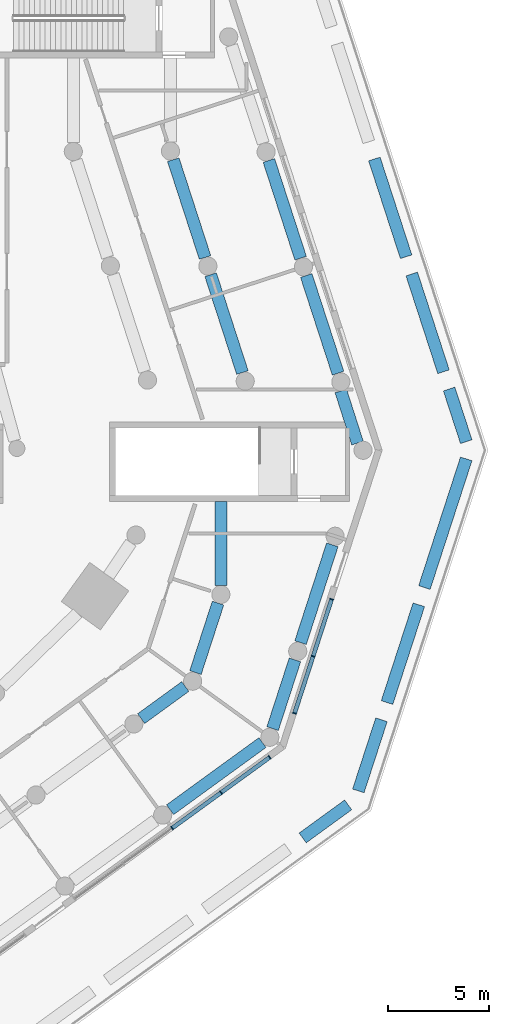
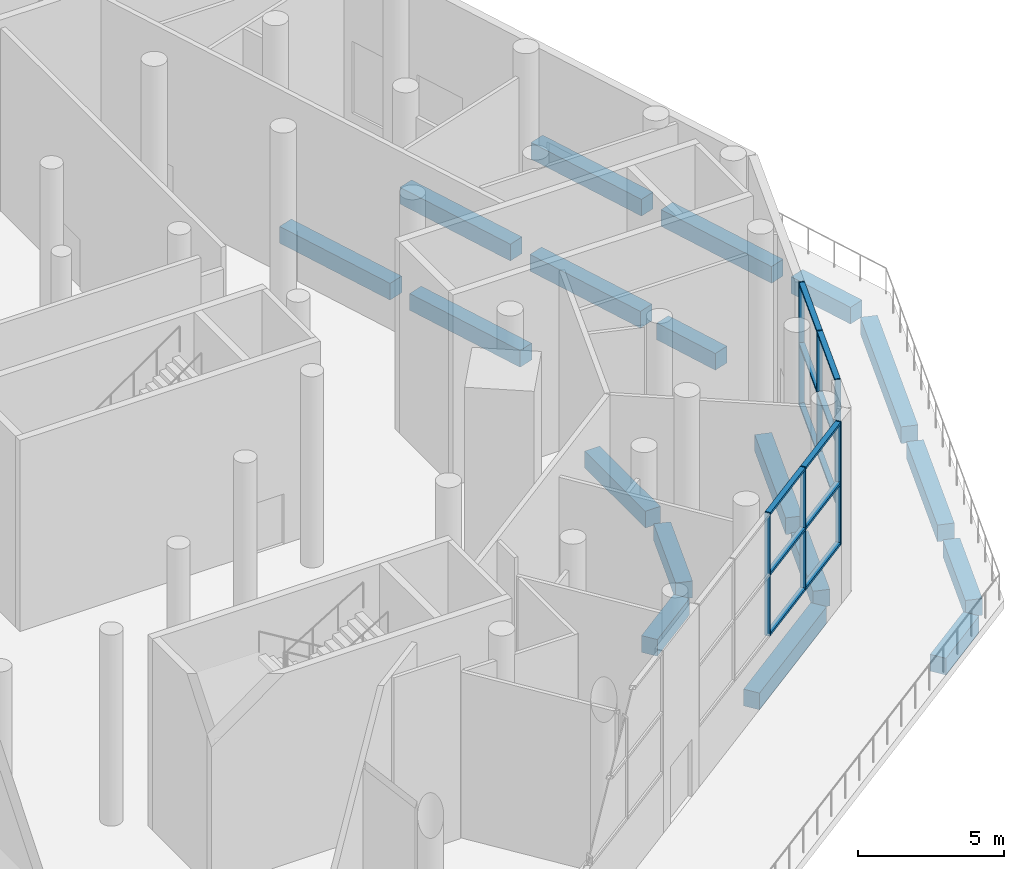
# One storey, part 8 of 23: 18 beams, 18 members, 2 elements without a shape of their own.
"""IFC4 building model written with IfcOpenShell, lengths in metres."""

from ifc_helpers import new_model, si_unit, direction, frame, origin, origin_2d, place, context, subcontext, project, spatial, rectangle, extrude, material, material_profile, profile_set, type_object, element, aggregate, save


model = new_model("IFC4")

# Units and contexts
model_context = context("Model", 3, precision=1e-05, world=origin(), true_north=direction((0.0, 1.0)))
body_context = subcontext(model_context, "Body", "Model", "MODEL_VIEW")
ifc_project = project(units=[si_unit("LENGTHUNIT", "METRE"), si_unit("AREAUNIT", "SQUARE_METRE"), si_unit("VOLUMEUNIT", "CUBIC_METRE"), si_unit("PLANEANGLEUNIT", "RADIAN"), si_unit("MASSUNIT", "GRAM", prefix="KILO")], contexts=[model_context])

# Site, building, storey
site_placement = place(None, origin())
site = spatial("IfcSite", under=ifc_project, at=site_placement, CompositionType="ELEMENT")
building_placement = place(site_placement, origin())
building = spatial("IfcBuilding", under=site, at=building_placement, Name="White Candle Pilgrim Tower", CompositionType="ELEMENT")
storey_placement = place(building_placement, frame((0.0, 0.0, 15.0)))
storey = spatial("IfcBuildingStorey", under=building, at=storey_placement, Name="L02", CompositionType="ELEMENT", Elevation=15.0)

# Curtain wall, members
ifc_material_1 = material(Name="Aluminium and glass", Category="aluminium")
curtain_wall_type = type_object("IfcCurtainWallType", Name="Curtain wall CW2 prayer hall clerestory", PredefinedType="NOTDEFINED", material=ifc_material_1)
curtain_wall_1_placement = place(storey_placement, origin())
curtain_wall_1 = element("IfcCurtainWall", 1, at=curtain_wall_1_placement, inside=storey, type_object=curtain_wall_type, Name="Curtain wall CW2 L02 SE", PredefinedType="NOTDEFINED")
ifc_material_2 = material(Name="Aluminium", Category="aluminium")
ifc_material_profile_1 = material_profile(ifc_material_2, rectangle(XDim=0.199951171875, YDim=0.050048828125, at=origin_2d()), Name="CW2 mullion 50x200")
ifc_profile_set_1 = profile_set([ifc_material_profile_1], Name="Aluminium")
member_type_1 = type_object("IfcMemberType", Name="CW2 mullion 50x200", PredefinedType="MULLION", material=ifc_profile_set_1)
member_1_placement = place(storey_placement, frame((95.40576171875, 41.791748046875, 2.5), z_axis=(0.0, 0.0, 1.0), x_axis=(-0.587785249341, 0.809016996519, 0.0)))
member_1 = element("IfcMember", 2, at=member_1_placement, type_object=member_type_1, Name="CW2 mullion 3", PredefinedType="MULLION", context=body_context, shape_type="SweptSolid", body=[
    extrude(rectangle(XDim=0.199951171875, YDim=0.050048828125, at=origin_2d()), origin(), (0.0, 0.0, 1.0), 5.14990234375),
])
member_2_placement = place(storey_placement, frame((97.832763671875, 43.55517578125, 2.5), z_axis=(0.0, 0.0, 1.0), x_axis=(-0.587785249341, 0.809016996519, 0.0)))
member_2 = element("IfcMember", 3, at=member_2_placement, type_object=member_type_1, Name="CW2 mullion 4", PredefinedType="MULLION", context=body_context, shape_type="SweptSolid", body=[
    extrude(rectangle(XDim=0.199951171875, YDim=0.050048828125, at=origin_2d()), origin(), (0.0, 0.0, 1.0), 5.14990234375),
])
member_3_placement = place(storey_placement, frame((100.23974609375, 45.3037109375, 2.5), z_axis=(0.0, 0.0, 1.0), x_axis=(-0.587785249341, 0.809016996519, 0.0)))
member_3 = element("IfcMember", 4, at=member_3_placement, type_object=member_type_1, Name="CW2 mullion 5", PredefinedType="MULLION", context=body_context, shape_type="SweptSolid", body=[
    extrude(rectangle(XDim=0.199951171875, YDim=0.050048828125, at=origin_2d()), origin(), (0.0, 0.0, 1.0), 5.14990234375),
])

curtain_wall_2_placement = place(storey_placement, origin())
curtain_wall_2 = element("IfcCurtainWall", 5, at=curtain_wall_2_placement, inside=storey, type_object=curtain_wall_type, Name="Curtain wall CW2 L02 E chamfer", PredefinedType="NOTDEFINED")
member_4_placement = place(storey_placement, frame((101.4775390625, 47.48974609375, 2.5), z_axis=(0.0, 0.0, 1.0), x_axis=(-0.951056514472, 0.309016999985, 0.0)))
member_4 = element("IfcMember", 6, at=member_4_placement, type_object=member_type_1, Name="CW2 mullion 1", PredefinedType="MULLION", context=body_context, shape_type="SweptSolid", body=[
    extrude(rectangle(XDim=0.199951171875, YDim=0.050048828125, at=origin_2d()), origin(), (0.0, 0.0, 1.0), 5.14990234375),
])
member_5_placement = place(storey_placement, frame((102.39697265625, 50.319091796875, 2.5), z_axis=(0.0, 0.0, 1.0), x_axis=(-0.951056514472, 0.309016999985, 0.0)))
member_5 = element("IfcMember", 7, at=member_5_placement, type_object=member_type_1, Name="CW2 mullion 2", PredefinedType="MULLION", context=body_context, shape_type="SweptSolid", body=[
    extrude(rectangle(XDim=0.199951171875, YDim=0.050048828125, at=origin_2d()), origin(), (0.0, 0.0, 1.0), 5.14990234375),
])
member_6_placement = place(storey_placement, frame((103.316162109375, 53.148681640625, 2.5), z_axis=(0.0, 0.0, 1.0), x_axis=(-0.951056514472, 0.309016999985, 0.0)))
member_6 = element("IfcMember", 8, at=member_6_placement, type_object=member_type_1, Name="CW2 mullion 3", PredefinedType="MULLION", context=body_context, shape_type="SweptSolid", body=[
    extrude(rectangle(XDim=0.199951171875, YDim=0.050048828125, at=origin_2d()), origin(), (0.0, 0.0, 1.0), 5.14990234375),
])

# Member
ifc_material_profile_2 = material_profile(ifc_material_2, rectangle(XDim=0.199951171875, YDim=0.10009765625, at=origin_2d()), Name="CW2 transom 100x200")
ifc_profile_set_2 = profile_set([ifc_material_profile_2], Name="Aluminium")
member_type_2 = type_object("IfcMemberType", Name="CW2 transom 100x200", PredefinedType="USERDEFINED", material=ifc_profile_set_2)
member_7_placement = place(storey_placement, frame((95.426025390625, 41.806396484375, 2.550048828125), z_axis=(0.809015152931, 0.587787786815, 0.0), x_axis=(-0.587787786815, 0.809015152931, 0.0)))
member_7 = element("IfcMember", 9, at=member_7_placement, type_object=member_type_2, Name="CW2 transom 3.1", ObjectType="TRANSOM", PredefinedType="USERDEFINED", context=body_context, shape_type="SweptSolid", body=[
    extrude(rectangle(XDim=0.199951171875, YDim=0.10009765625, at=origin_2d()), origin(), (0.0, 0.0, 1.0), 2.949951171875),
])

member_8_placement = place(storey_placement, frame((95.426025390625, 41.806396484375, 5.074951171875), z_axis=(0.809015152931, 0.587787786815, 0.0), x_axis=(-0.587787786815, 0.809015152931, 0.0)))
member_8 = element("IfcMember", 10, at=member_8_placement, type_object=member_type_2, Name="CW2 transom 3.2", ObjectType="TRANSOM", PredefinedType="USERDEFINED", context=body_context, shape_type="SweptSolid", body=[
    extrude(rectangle(XDim=0.199951171875, YDim=0.10009765625, at=origin_2d()), origin(), (0.0, 0.0, 1.0), 2.949951171875),
])

member_9_placement = place(storey_placement, frame((95.426025390625, 41.806396484375, 7.60009765625), z_axis=(0.809015152931, 0.587787786815, 0.0), x_axis=(-0.587787786815, 0.809015152931, 0.0)))
member_9 = element("IfcMember", 11, at=member_9_placement, type_object=member_type_2, Name="CW2 transom 3.3", ObjectType="TRANSOM", PredefinedType="USERDEFINED", context=body_context, shape_type="SweptSolid", body=[
    extrude(rectangle(XDim=0.199951171875, YDim=0.10009765625, at=origin_2d()), origin(), (0.0, 0.0, 1.0), 2.949951171875),
])

member_10_placement = place(storey_placement, frame((97.85302734375, 43.56982421875, 2.550048828125), z_axis=(0.80903194638, 0.587764672073, 0.0), x_axis=(-0.587764672073, 0.80903194638, 0.0)))
member_10 = element("IfcMember", 12, at=member_10_placement, type_object=member_type_2, Name="CW2 transom 4.1", ObjectType="TRANSOM", PredefinedType="USERDEFINED", context=body_context, shape_type="SweptSolid", body=[
    extrude(rectangle(XDim=0.199951171875, YDim=0.10009765625, at=origin_2d()), origin(), (0.0, 0.0, 1.0), 2.925048828125),
])

member_11_placement = place(storey_placement, frame((97.85302734375, 43.56982421875, 5.074951171875), z_axis=(0.80903194638, 0.587764672073, 0.0), x_axis=(-0.587764672073, 0.80903194638, 0.0)))
member_11 = element("IfcMember", 13, at=member_11_placement, type_object=member_type_2, Name="CW2 transom 4.2", ObjectType="TRANSOM", PredefinedType="USERDEFINED", context=body_context, shape_type="SweptSolid", body=[
    extrude(rectangle(XDim=0.199951171875, YDim=0.10009765625, at=origin_2d()), origin(), (0.0, 0.0, 1.0), 2.925048828125),
])

member_12_placement = place(storey_placement, frame((97.85302734375, 43.56982421875, 7.60009765625), z_axis=(0.80903194638, 0.587764672073, 0.0), x_axis=(-0.587764672073, 0.80903194638, 0.0)))
member_12 = element("IfcMember", 14, at=member_12_placement, type_object=member_type_2, Name="CW2 transom 4.3", ObjectType="TRANSOM", PredefinedType="USERDEFINED", context=body_context, shape_type="SweptSolid", body=[
    extrude(rectangle(XDim=0.199951171875, YDim=0.10009765625, at=origin_2d()), origin(), (0.0, 0.0, 1.0), 2.925048828125),
])

aggregate(curtain_wall_1, [member_1, member_2, member_3, member_7, member_8, member_9, member_10, member_11, member_12])

member_13_placement = place(storey_placement, frame((101.4853515625, 47.513671875, 2.550048828125), z_axis=(0.309006800495, 0.951059828427, 0.0), x_axis=(-0.951059828427, 0.309006800495, 0.0)))
member_13 = element("IfcMember", 15, at=member_13_placement, type_object=member_type_2, Name="CW2 transom 1.1", ObjectType="TRANSOM", PredefinedType="USERDEFINED", context=body_context, shape_type="SweptSolid", body=[
    extrude(rectangle(XDim=0.199951171875, YDim=0.10009765625, at=origin_2d()), origin(), (0.0, 0.0, 1.0), 2.9248046875),
])

member_14_placement = place(storey_placement, frame((101.4853515625, 47.513671875, 5.074951171875), z_axis=(0.309006800495, 0.951059828427, 0.0), x_axis=(-0.951059828427, 0.309006800495, 0.0)))
member_14 = element("IfcMember", 16, at=member_14_placement, type_object=member_type_2, Name="CW2 transom 1.2", ObjectType="TRANSOM", PredefinedType="USERDEFINED", context=body_context, shape_type="SweptSolid", body=[
    extrude(rectangle(XDim=0.199951171875, YDim=0.10009765625, at=origin_2d()), origin(), (0.0, 0.0, 1.0), 2.9248046875),
])

member_15_placement = place(storey_placement, frame((101.4853515625, 47.513671875, 7.60009765625), z_axis=(0.309006800495, 0.951059828427, 0.0), x_axis=(-0.951059828427, 0.309006800495, 0.0)))
member_15 = element("IfcMember", 17, at=member_15_placement, type_object=member_type_2, Name="CW2 transom 1.3", ObjectType="TRANSOM", PredefinedType="USERDEFINED", context=body_context, shape_type="SweptSolid", body=[
    extrude(rectangle(XDim=0.199951171875, YDim=0.10009765625, at=origin_2d()), origin(), (0.0, 0.0, 1.0), 2.9248046875),
])

member_16_placement = place(storey_placement, frame((102.40478515625, 50.343017578125, 2.550048828125), z_axis=(0.309006800495, 0.951059828427, 0.0), x_axis=(-0.951059828427, 0.309006800495, 0.0)))
member_16 = element("IfcMember", 18, at=member_16_placement, type_object=member_type_2, Name="CW2 transom 2.1", ObjectType="TRANSOM", PredefinedType="USERDEFINED", context=body_context, shape_type="SweptSolid", body=[
    extrude(rectangle(XDim=0.199951171875, YDim=0.10009765625, at=origin_2d()), origin(), (0.0, 0.0, 1.0), 2.9248046875),
])

member_17_placement = place(storey_placement, frame((102.40478515625, 50.343017578125, 5.074951171875), z_axis=(0.309006800495, 0.951059828427, 0.0), x_axis=(-0.951059828427, 0.309006800495, 0.0)))
member_17 = element("IfcMember", 19, at=member_17_placement, type_object=member_type_2, Name="CW2 transom 2.2", ObjectType="TRANSOM", PredefinedType="USERDEFINED", context=body_context, shape_type="SweptSolid", body=[
    extrude(rectangle(XDim=0.199951171875, YDim=0.10009765625, at=origin_2d()), origin(), (0.0, 0.0, 1.0), 2.9248046875),
])

member_18_placement = place(storey_placement, frame((102.40478515625, 50.343017578125, 7.60009765625), z_axis=(0.309006800495, 0.951059828427, 0.0), x_axis=(-0.951059828427, 0.309006800495, 0.0)))
member_18 = element("IfcMember", 20, at=member_18_placement, type_object=member_type_2, Name="CW2 transom 2.3", ObjectType="TRANSOM", PredefinedType="USERDEFINED", context=body_context, shape_type="SweptSolid", body=[
    extrude(rectangle(XDim=0.199951171875, YDim=0.10009765625, at=origin_2d()), origin(), (0.0, 0.0, 1.0), 2.9248046875),
])

aggregate(curtain_wall_2, [member_4, member_5, member_6, member_13, member_14, member_15, member_16, member_17, member_18])

# Beams
ifc_material_3 = material(Name="Concrete C50/60", Category="concrete")
ifc_material_profile_3 = material_profile(ifc_material_3, rectangle(XDim=0.60009765625, YDim=0.699951171875, at=origin_2d()), Name="RC-BM 600x700")
ifc_profile_set_3 = profile_set([ifc_material_profile_3], Name="Concrete C50/60")
beam_type = type_object("IfcBeamType", Name="Spandrel beam RC-BM 600x700 C50/60", PredefinedType="BEAM", material=ifc_profile_set_3)
beam_1_placement = place(storey_placement, frame((101.87890625, 41.303466796875, -0.699951171875), z_axis=(0.809030737429, 0.587766336136, 0.0), x_axis=(-0.587766336136, 0.809030737429, 0.0)))
element("IfcBeam", 21, at=beam_1_placement, inside=storey, type_object=beam_type, Name="L02 spandrel beam A18", PredefinedType="BEAM", context=body_context, shape_type="SweptSolid", body=[
    extrude(rectangle(XDim=0.60009765625, YDim=0.699951171875, at=origin_2d()), origin(), (0.0, 0.0, 1.0), 2.793701171875),
])
beam_2_placement = place(storey_placement, frame((104.64208984375, 43.6376953125, -0.699951171875), z_axis=(0.309054834835, 0.951044220352, 0.0), x_axis=(-0.951044220352, 0.309054834835, 0.0)))
element("IfcBeam", 22, at=beam_2_placement, inside=storey, type_object=beam_type, Name="L02 spandrel beam A19", PredefinedType="BEAM", context=body_context, shape_type="SweptSolid", body=[
    extrude(rectangle(XDim=0.60009765625, YDim=0.699951171875, at=origin_2d()), origin(), (0.0, 0.0, 1.0), 3.711181640625),
])
beam_3_placement = place(storey_placement, frame((106.06689453125, 48.022705078125, -0.699951171875), z_axis=(0.309038447078, 0.951049545622, 0.0), x_axis=(-0.951049545622, 0.309038447078, 0.0)))
element("IfcBeam", 23, at=beam_3_placement, inside=storey, type_object=beam_type, Name="L02 spandrel beam A20", PredefinedType="BEAM", context=body_context, shape_type="SweptSolid", body=[
    extrude(rectangle(XDim=0.60009765625, YDim=0.699951171875, at=origin_2d()), origin(), (0.0, 0.0, 1.0), 5.100341796875),
])
beam_4_placement = place(storey_placement, frame((107.9208984375, 53.728759765625, -0.699951171875), z_axis=(0.309081136717, 0.951035672793, 0.0), x_axis=(-0.951035672793, 0.309081136717, 0.0)))
element("IfcBeam", 24, at=beam_4_placement, inside=storey, type_object=beam_type, Name="L02 spandrel beam A21", PredefinedType="BEAM", context=body_context, shape_type="SweptSolid", body=[
    extrude(rectangle(XDim=0.60009765625, YDim=0.699951171875, at=origin_2d()), origin(), (0.0, 0.0, 1.0), 6.7109375),
])
beam_5_placement = place(storey_placement, frame((109.9951171875, 60.966796875, -0.699951171875), z_axis=(-0.309013664112, 0.951057598357, 0.0), x_axis=(-0.951057598357, -0.309013664112, 0.0)))
element("IfcBeam", 25, at=beam_5_placement, inside=storey, type_object=beam_type, Name="L02 spandrel beam A22", PredefinedType="BEAM", context=body_context, shape_type="SweptSolid", body=[
    extrude(rectangle(XDim=0.60009765625, YDim=0.699951171875, at=origin_2d()), origin(), (0.0, 0.0, 1.0), 2.74462890625),
])
beam_6_placement = place(storey_placement, frame((108.868896484375, 64.432861328125, -0.699951171875), z_axis=(-0.309126113006, 0.951021054582, 0.0), x_axis=(-0.951021054582, -0.309126113006, 0.0)))
element("IfcBeam", 26, at=beam_6_placement, inside=storey, type_object=beam_type, Name="L02 spandrel beam A23", PredefinedType="BEAM", context=body_context, shape_type="SweptSolid", body=[
    extrude(rectangle(XDim=0.60009765625, YDim=0.699951171875, at=origin_2d()), origin(), (0.0, 0.0, 1.0), 5.10107421875),
])
beam_7_placement = place(storey_placement, frame((107.013916015625, 70.139892578125, -0.699951171875), z_axis=(-0.309009217467, 0.951059043131, 0.0), x_axis=(-0.951059043131, -0.309009217467, 0.0)))
element("IfcBeam", 27, at=beam_7_placement, inside=storey, type_object=beam_type, Name="L02 spandrel beam A24", PredefinedType="BEAM", context=body_context, shape_type="SweptSolid", body=[
    extrude(rectangle(XDim=0.60009765625, YDim=0.699951171875, at=origin_2d()), origin(), (0.0, 0.0, 1.0), 5.099853515625),
])
beam_8_placement = place(storey_placement, frame((95.2998046875, 42.703369140625, -0.699951171875), z_axis=(0.808998591139, 0.587810581339, 0.0), x_axis=(-0.587810581339, 0.808998591139, 0.0)))
element("IfcBeam", 28, at=beam_8_placement, inside=storey, type_object=beam_type, Name="L02 spandrel beam B15", PredefinedType="BEAM", context=body_context, shape_type="SweptSolid", body=[
    extrude(rectangle(XDim=0.60009765625, YDim=0.699951171875, at=origin_2d()), origin(), (0.0, 0.0, 1.0), 5.6689453125),
])
beam_9_placement = place(storey_placement, frame((100.388916015625, 46.727783203125, -0.699951171875), z_axis=(0.309029111375, 0.951052579158, 0.0), x_axis=(-0.951052579158, 0.309029111375, 0.0)))
element("IfcBeam", 29, at=beam_9_placement, inside=storey, type_object=beam_type, Name="L02 spandrel beam B16", PredefinedType="BEAM", context=body_context, shape_type="SweptSolid", body=[
    extrude(rectangle(XDim=0.60009765625, YDim=0.699951171875, at=origin_2d()), origin(), (0.0, 0.0, 1.0), 3.5859375),
])
beam_10_placement = place(storey_placement, frame((101.77490234375, 50.993896484375, -0.699951171875), z_axis=(0.308996245399, 0.951063257796, 0.0), x_axis=(-0.951063257796, 0.308996245399, 0.0)))
element("IfcBeam", 30, at=beam_10_placement, inside=storey, type_object=beam_type, Name="L02 spandrel beam B17", PredefinedType="BEAM", context=body_context, shape_type="SweptSolid", body=[
    extrude(rectangle(XDim=0.60009765625, YDim=0.699951171875, at=origin_2d()), origin(), (0.0, 0.0, 1.0), 5.100830078125),
])
beam_11_placement = place(storey_placement, frame((103.77392578125, 63.48291015625, -0.699951171875), z_axis=(0.304880087656, -0.952390745519, 0.0), x_axis=(0.952390745519, 0.304880087656, 0.0)))
element("IfcBeam", 31, at=beam_11_placement, inside=storey, type_object=beam_type, Name="L02 spandrel beam B18", PredefinedType="BEAM", context=body_context, shape_type="SweptSolid", body=[
    extrude(rectangle(XDim=0.60009765625, YDim=0.699951171875, at=origin_2d()), origin(), (0.0, 0.0, 1.0), 2.71630859375),
])
beam_12_placement = place(storey_placement, frame((103.635009765625, 64.36083984375, -0.699951171875), z_axis=(-0.309126113006, 0.951021054582, 0.0), x_axis=(-0.951021054582, -0.309126113006, 0.0)))
element("IfcBeam", 32, at=beam_12_placement, inside=storey, type_object=beam_type, Name="L02 spandrel beam B19", PredefinedType="BEAM", context=body_context, shape_type="SweptSolid", body=[
    extrude(rectangle(XDim=0.60009765625, YDim=0.699951171875, at=origin_2d()), origin(), (0.0, 0.0, 1.0), 5.10107421875),
])
beam_13_placement = place(storey_placement, frame((101.780029296875, 70.06787109375, -0.699951171875), z_axis=(-0.309009217467, 0.951059043131, 0.0), x_axis=(-0.951059043131, -0.309009217467, 0.0)))
element("IfcBeam", 33, at=beam_13_placement, inside=storey, type_object=beam_type, Name="L02 spandrel beam B20", PredefinedType="BEAM", context=body_context, shape_type="SweptSolid", body=[
    extrude(rectangle(XDim=0.60009765625, YDim=0.699951171875, at=origin_2d()), origin(), (0.0, 0.0, 1.0), 5.099853515625),
])
beam_14_placement = place(storey_placement, frame((93.867919921875, 47.225341796875, -0.699951171875), z_axis=(0.809008975915, 0.587796288598, 0.0), x_axis=(-0.587796288598, 0.809008975915, 0.0)))
element("IfcBeam", 34, at=beam_14_placement, inside=storey, type_object=beam_type, Name="L02 spandrel beam C13", PredefinedType="BEAM", context=body_context, shape_type="SweptSolid", body=[
    extrude(rectangle(XDim=0.60009765625, YDim=0.699951171875, at=origin_2d()), origin(), (0.0, 0.0, 1.0), 2.707275390625),
])
beam_15_placement = place(storey_placement, frame((96.56103515625, 49.5087890625, -0.699951171875), z_axis=(0.308944435163, 0.951080089152, 0.0), x_axis=(-0.951080089152, 0.308944435163, 0.0)))
element("IfcBeam", 35, at=beam_15_placement, inside=storey, type_object=beam_type, Name="L02 spandrel beam C14", PredefinedType="BEAM", context=body_context, shape_type="SweptSolid", body=[
    extrude(rectangle(XDim=0.60009765625, YDim=0.699951171875, at=origin_2d()), origin(), (0.0, 0.0, 1.0), 3.624755859375),
])
beam_16_placement = place(storey_placement, frame((97.820068359375, 53.833984375, -0.699951171875), z_axis=(0.0, 1.0, 0.0), x_axis=(-1.0, 0.0, 0.0)))
element("IfcBeam", 36, at=beam_16_placement, inside=storey, type_object=beam_type, Name="L02 spandrel beam C15", PredefinedType="BEAM", context=body_context, shape_type="SweptSolid", body=[
    extrude(rectangle(XDim=0.60009765625, YDim=0.699951171875, at=origin_2d()), origin(), (0.0, 0.0, 1.0), 4.166015625),
])
beam_17_placement = place(storey_placement, frame((98.89111328125, 64.396728515625, -0.699951171875), z_axis=(-0.308982180599, 0.951067827272, 0.0), x_axis=(-0.951067827272, -0.308982180599, 0.0)))
element("IfcBeam", 37, at=beam_17_placement, inside=storey, type_object=beam_type, Name="L02 spandrel beam C16", PredefinedType="BEAM", context=body_context, shape_type="SweptSolid", body=[
    extrude(rectangle(XDim=0.60009765625, YDim=0.699951171875, at=origin_2d()), origin(), (0.0, 0.0, 1.0), 5.10107421875),
])
beam_18_placement = place(storey_placement, frame((97.037109375, 70.103759765625, -0.699951171875), z_axis=(-0.30905251673, 0.951044973649, 0.0), x_axis=(-0.951044973649, -0.30905251673, 0.0)))
element("IfcBeam", 38, at=beam_18_placement, inside=storey, type_object=beam_type, Name="L02 spandrel beam C17", PredefinedType="BEAM", context=body_context, shape_type="SweptSolid", body=[
    extrude(rectangle(XDim=0.60009765625, YDim=0.699951171875, at=origin_2d()), origin(), (0.0, 0.0, 1.0), 5.10009765625),
])

save(model, "model.ifc")
